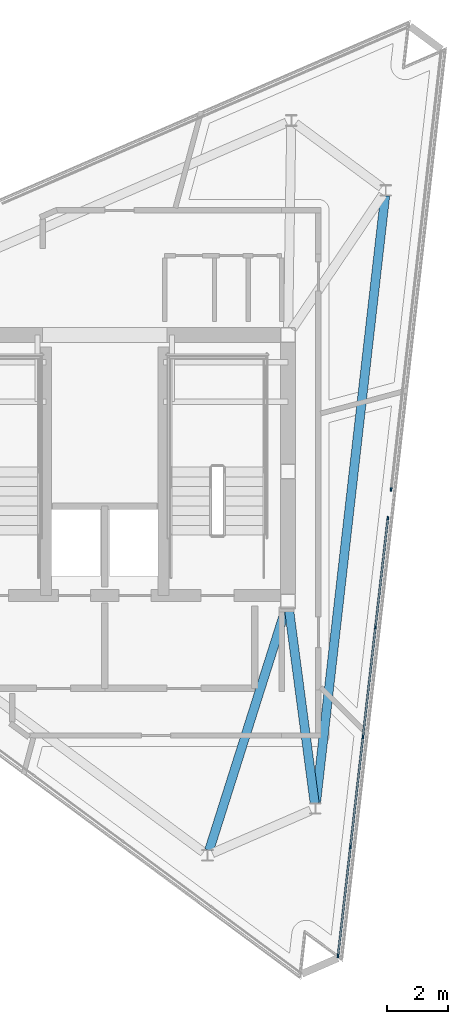
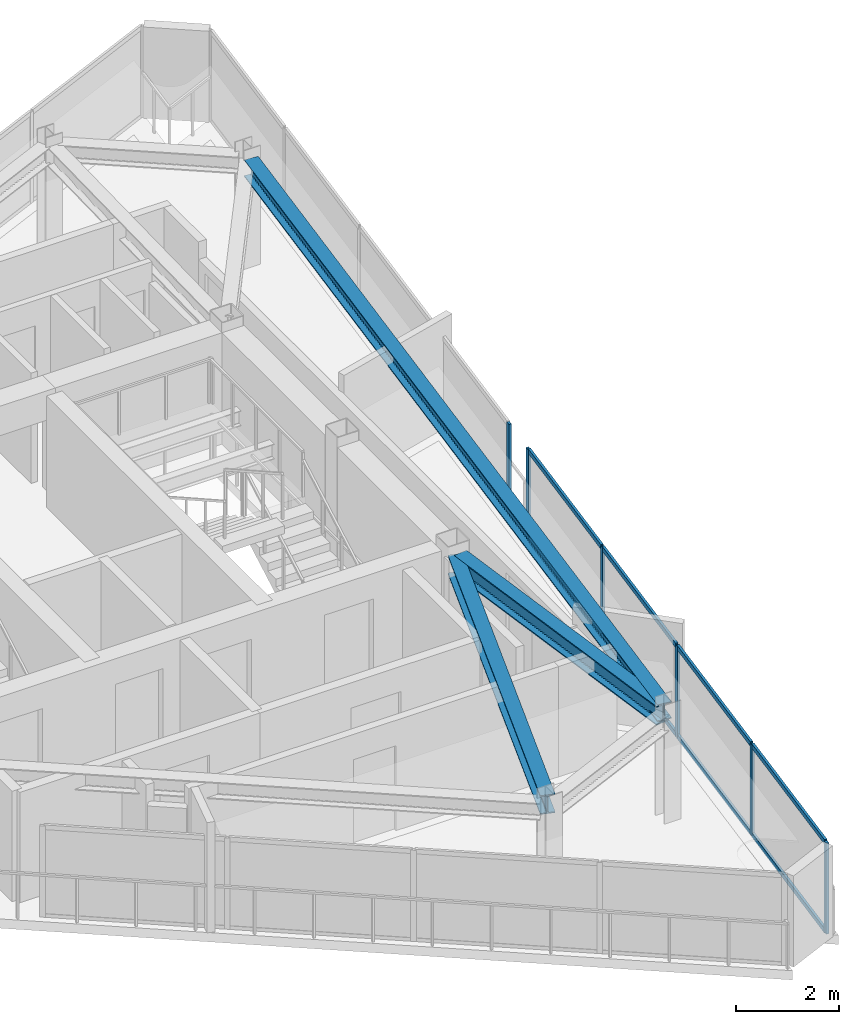
# One storey, part 3 of 9: 14 members, 3 beams, 2 elements without a shape of their own.
"""IFC4 building model written with IfcOpenShell, lengths in metres."""

from ifc_helpers import new_model, si_unit, direction, frame, origin, origin_2d, place, context, subcontext, project, spatial, rectangle, i_section, extrude, material, layer, layer_set, material_profile, profile_set, type_object, element, aggregate, save


model = new_model("IFC4")

# Units and contexts
model_context = context("Model", 3, precision=1e-05, world=origin(), true_north=direction((0.0, 1.0)))
body_context = subcontext(model_context, "Body", "Model", "MODEL_VIEW")
ifc_project = project(units=[si_unit("LENGTHUNIT", "METRE"), si_unit("AREAUNIT", "SQUARE_METRE"), si_unit("VOLUMEUNIT", "CUBIC_METRE"), si_unit("PLANEANGLEUNIT", "RADIAN"), si_unit("MASSUNIT", "GRAM", prefix="KILO")], contexts=[model_context])

# Site, building, storey
site_placement = place(None, origin())
site = spatial("IfcSite", under=ifc_project, at=site_placement, CompositionType="ELEMENT")
building_placement = place(site_placement, origin())
building = spatial("IfcBuilding", under=site, at=building_placement, Name="Rocaltana Carrier Exchange", CompositionType="ELEMENT")
storey_placement = place(building_placement, frame((0.0, 0.0, 243.360107421875)))
storey = spatial("IfcBuildingStorey", under=building, at=storey_placement, Name="L77", CompositionType="ELEMENT", Elevation=243.360107421875)

# Curtain wall, members
ifc_material_1 = material(Name="Aluminium 6063-T6", Category="aluminium")
ifc_layer = layer(ifc_material_1, 0.110107421875)
ifc_layer_set = layer_set([ifc_layer], Name="Aluminium 6063-T6")
curtain_wall_type = type_object("IfcCurtainWallType", Name="Crown Lantern Faceted Curtain Wall CW-06", PredefinedType="NOTDEFINED", material=ifc_layer_set)
curtain_wall_1_placement = place(storey_placement, origin())
curtain_wall_1 = element("IfcCurtainWall", 1, at=curtain_wall_1_placement, inside=storey, type_object=curtain_wall_type, Name="L77 CW-06 Run CW06-L77-F1S1", PredefinedType="NOTDEFINED")
ifc_material_2 = material(Name="Aluminium 6063-T6", Category="aluminium")
ifc_material_profile_1 = material_profile(ifc_material_2, rectangle(XDim=0.054931640625, YDim=0.110107421875, at=origin_2d()), Name="AL-55X110")
ifc_profile_set_1 = profile_set([ifc_material_profile_1], Name="Aluminium 6063-T6")
member_type_1 = type_object("IfcMemberType", Name="CW-06 Mullion AL-55X110", PredefinedType="MULLION", material=ifc_profile_set_1)
member_1_placement = place(storey_placement, frame((7.7001953125, -15.9970703125, 0.0), z_axis=(0.0, 0.0, 1.0), x_axis=(-0.993571645524, 0.113205058236, 0.0)))
member_1 = element("IfcMember", 2, at=member_1_placement, type_object=member_type_1, Name="CW-06 mullion 1", PredefinedType="MULLION", context=body_context, shape_type="SweptSolid", body=[
    extrude(rectangle(XDim=0.054931640625, YDim=0.110107421875, at=origin_2d()), origin(), (0.0, 0.0, 1.0), 2.16796875),
])
member_2_placement = place(storey_placement, frame((8.1103515625, -12.39794921875, 0.0), z_axis=(0.0, 0.0, 1.0), x_axis=(-0.993571645524, 0.113205058236, 0.0)))
member_2 = element("IfcMember", 3, at=member_2_placement, type_object=member_type_1, Name="CW-06 mullion 2", PredefinedType="MULLION", context=body_context, shape_type="SweptSolid", body=[
    extrude(rectangle(XDim=0.054931640625, YDim=0.110107421875, at=origin_2d()), origin(), (0.0, 0.0, 1.0), 2.16796875),
])
member_3_placement = place(storey_placement, frame((8.523681640625, -8.771240234375, 0.0), z_axis=(0.0, 0.0, 1.0), x_axis=(-0.993571645524, 0.113205058236, 0.0)))
member_3 = element("IfcMember", 4, at=member_3_placement, type_object=member_type_1, Name="CW-06 mullion 3", PredefinedType="MULLION", context=body_context, shape_type="SweptSolid", body=[
    extrude(rectangle(XDim=0.054931640625, YDim=0.110107421875, at=origin_2d()), origin(), (0.0, 0.0, 1.0), 2.16796875),
])
member_4_placement = place(storey_placement, frame((8.936767578125, -5.144775390625, 0.0), z_axis=(0.0, 0.0, 1.0), x_axis=(-0.993571645524, 0.113205058236, 0.0)))
member_4 = element("IfcMember", 5, at=member_4_placement, type_object=member_type_1, Name="CW-06 mullion 4", PredefinedType="MULLION", context=body_context, shape_type="SweptSolid", body=[
    extrude(rectangle(XDim=0.054931640625, YDim=0.110107421875, at=origin_2d()), origin(), (0.0, 0.0, 1.0), 2.16796875),
])
member_5_placement = place(storey_placement, frame((9.346923828125, -1.54541015625, 0.0), z_axis=(0.0, 0.0, 1.0), x_axis=(-0.993571645524, 0.113205058236, 0.0)))
member_5 = element("IfcMember", 6, at=member_5_placement, type_object=member_type_1, Name="CW-06 mullion 5", PredefinedType="MULLION", context=body_context, shape_type="SweptSolid", body=[
    extrude(rectangle(XDim=0.054931640625, YDim=0.110107421875, at=origin_2d()), origin(), (0.0, 0.0, 1.0), 2.16796875),
])

# Curtain wall, member
curtain_wall_2_placement = place(storey_placement, origin())
curtain_wall_2 = element("IfcCurtainWall", 7, at=curtain_wall_2_placement, inside=storey, type_object=curtain_wall_type, Name="L77 CW-06 Run CW06-L77-F1S2", PredefinedType="NOTDEFINED")
member_6_placement = place(storey_placement, frame((9.455078125, -0.5966796875, 0.0), z_axis=(0.0, 0.0, 1.0), x_axis=(-0.993572415892, 0.113198296715, 0.0)))
member_6 = element("IfcMember", 8, at=member_6_placement, type_object=member_type_1, Name="CW-06 mullion 1", PredefinedType="MULLION", context=body_context, shape_type="SweptSolid", body=[
    extrude(rectangle(XDim=0.054931640625, YDim=0.110107421875, at=origin_2d()), origin(), (0.0, 0.0, 1.0), 2.16796875),
])
aggregate(curtain_wall_2, [member_6])

# Member
ifc_material_3 = material(Name="Aluminium 6063-T6", Category="aluminium")
ifc_material_profile_2 = material_profile(ifc_material_3, rectangle(XDim=0.054931640625, YDim=0.110107421875, at=origin_2d()), Name="AL-55X110")
ifc_profile_set_2 = profile_set([ifc_material_profile_2], Name="Aluminium 6063-T6")
member_type_2 = type_object("IfcMemberType", Name="CW-06 Transom AL-55X110", PredefinedType="USERDEFINED", material=ifc_profile_set_2)
member_7_placement = place(storey_placement, frame((7.703369140625, -15.9697265625, 0.02734375), z_axis=(0.113195298312, 0.993572757497, 0.0), x_axis=(-0.993572757497, 0.113195298312, 0.0)))
member_7 = element("IfcMember", 9, at=member_7_placement, type_object=member_type_2, Name="CW-06 transom 1.1", ObjectType="TRANSOM", PredefinedType="USERDEFINED", context=body_context, shape_type="SweptSolid", body=[
    extrude(rectangle(XDim=0.054931640625, YDim=0.110107421875, at=origin_2d()), origin(), (0.0, 0.0, 1.0), 3.5673828125),
])

member_8_placement = place(storey_placement, frame((7.703369140625, -15.9697265625, 2.140380859375), z_axis=(0.113195298312, 0.993572757497, 0.0), x_axis=(-0.993572757497, 0.113195298312, 0.0)))
member_8 = element("IfcMember", 10, at=member_8_placement, type_object=member_type_2, Name="CW-06 transom 1.2", ObjectType="TRANSOM", PredefinedType="USERDEFINED", context=body_context, shape_type="SweptSolid", body=[
    extrude(rectangle(XDim=0.054931640625, YDim=0.110107421875, at=origin_2d()), origin(), (0.0, 0.0, 1.0), 3.5673828125),
])

member_9_placement = place(storey_placement, frame((8.113525390625, -12.37060546875, 0.02734375), z_axis=(0.113203757781, 0.993571793694, 0.0), x_axis=(-0.993571793694, 0.113203757781, 0.0)))
member_9 = element("IfcMember", 11, at=member_9_placement, type_object=member_type_2, Name="CW-06 transom 2.1", ObjectType="TRANSOM", PredefinedType="USERDEFINED", context=body_context, shape_type="SweptSolid", body=[
    extrude(rectangle(XDim=0.054931640625, YDim=0.110107421875, at=origin_2d()), origin(), (0.0, 0.0, 1.0), 3.59521484375),
])

member_10_placement = place(storey_placement, frame((8.113525390625, -12.37060546875, 2.140380859375), z_axis=(0.113203757781, 0.993571793694, 0.0), x_axis=(-0.993571793694, 0.113203757781, 0.0)))
member_10 = element("IfcMember", 12, at=member_10_placement, type_object=member_type_2, Name="CW-06 transom 2.2", ObjectType="TRANSOM", PredefinedType="USERDEFINED", context=body_context, shape_type="SweptSolid", body=[
    extrude(rectangle(XDim=0.054931640625, YDim=0.110107421875, at=origin_2d()), origin(), (0.0, 0.0, 1.0), 3.59521484375),
])

member_11_placement = place(storey_placement, frame((8.526611328125, -8.743896484375, 0.02734375), z_axis=(0.113211396393, 0.99357092335, 0.0), x_axis=(-0.99357092335, 0.113211396393, 0.0)))
member_11 = element("IfcMember", 13, at=member_11_placement, type_object=member_type_2, Name="CW-06 transom 3.1", ObjectType="TRANSOM", PredefinedType="USERDEFINED", context=body_context, shape_type="SweptSolid", body=[
    extrude(rectangle(XDim=0.054931640625, YDim=0.110107421875, at=origin_2d()), origin(), (0.0, 0.0, 1.0), 3.594970703125),
])

member_12_placement = place(storey_placement, frame((8.526611328125, -8.743896484375, 2.140380859375), z_axis=(0.113211396393, 0.99357092335, 0.0), x_axis=(-0.99357092335, 0.113211396393, 0.0)))
member_12 = element("IfcMember", 14, at=member_12_placement, type_object=member_type_2, Name="CW-06 transom 3.2", ObjectType="TRANSOM", PredefinedType="USERDEFINED", context=body_context, shape_type="SweptSolid", body=[
    extrude(rectangle(XDim=0.054931640625, YDim=0.110107421875, at=origin_2d()), origin(), (0.0, 0.0, 1.0), 3.594970703125),
])

member_13_placement = place(storey_placement, frame((8.93994140625, -5.117431640625, 0.02734375), z_axis=(0.113187601842, 0.993573634307, 0.0), x_axis=(-0.993573634307, 0.113187601842, 0.0)))
member_13 = element("IfcMember", 15, at=member_13_placement, type_object=member_type_2, Name="CW-06 transom 4.1", ObjectType="TRANSOM", PredefinedType="USERDEFINED", context=body_context, shape_type="SweptSolid", body=[
    extrude(rectangle(XDim=0.054931640625, YDim=0.110107421875, at=origin_2d()), origin(), (0.0, 0.0, 1.0), 3.567626953125),
])

member_14_placement = place(storey_placement, frame((8.93994140625, -5.117431640625, 2.140380859375), z_axis=(0.113187601842, 0.993573634307, 0.0), x_axis=(-0.993573634307, 0.113187601842, 0.0)))
member_14 = element("IfcMember", 16, at=member_14_placement, type_object=member_type_2, Name="CW-06 transom 4.2", ObjectType="TRANSOM", PredefinedType="USERDEFINED", context=body_context, shape_type="SweptSolid", body=[
    extrude(rectangle(XDim=0.054931640625, YDim=0.110107421875, at=origin_2d()), origin(), (0.0, 0.0, 1.0), 3.567626953125),
])

aggregate(curtain_wall_1, [member_1, member_2, member_3, member_4, member_5, member_7, member_8, member_9, member_10, member_11, member_12, member_13, member_14])

# Beams
ifc_material_4 = material(Name="Steel S460", Category="steel")
ifc_material_profile_3 = material_profile(ifc_material_4, i_section(OverallWidth=0.300048828125, OverallDepth=0.449951171875, WebThickness=0.013916015625, FlangeThickness=0.02587890625, FilletRadius=0.027099609375, at=origin_2d()), Name="HEB450")
ifc_profile_set_3 = profile_set([ifc_material_profile_3], Name="Steel S460")
beam_type_1 = type_object("IfcBeamType", Name="Crown Frame Rafter HEB450", PredefinedType="BEAM", material=ifc_profile_set_3)
beam_1_placement = place(storey_placement, frame((6.081787109375, -4.539794921875, 2.4228515625), z_axis=(0.131160183144, -0.991361188648, 0.0), x_axis=(0.991361188648, 0.131160183144, 0.0)))
element("IfcBeam", 17, at=beam_1_placement, inside=storey, type_object=beam_type_1, Name="CRG-RAD-L77-01", PredefinedType="BEAM", context=body_context, shape_type="SweptSolid", body=[
    extrude(i_section(OverallWidth=0.300048828125, OverallDepth=0.449951171875, WebThickness=0.013916015625, FlangeThickness=0.02587890625, FilletRadius=0.027099609375, at=origin_2d()), origin(), (0.0, 0.0, 1.0), 6.47021484375),
])
beam_2_placement = place(storey_placement, frame((5.976806640625, -4.53076171875, 2.4228515625), z_axis=(-0.302197952625, -0.953245192712, 0.0), x_axis=(0.953245192712, -0.302197952625, 0.0)))
element("IfcBeam", 18, at=beam_2_placement, inside=storey, type_object=beam_type_1, Name="CRG-RAD-L77-06", PredefinedType="BEAM", context=body_context, shape_type="SweptSolid", body=[
    extrude(i_section(OverallWidth=0.300048828125, OverallDepth=0.449951171875, WebThickness=0.013916015625, FlangeThickness=0.02587890625, FilletRadius=0.027099609375, at=origin_2d()), origin(), (0.0, 0.0, 1.0), 8.3681640625),
])
ifc_material_5 = material(Name="Steel S460", Category="steel")
ifc_material_profile_4 = material_profile(ifc_material_5, i_section(OverallWidth=0.300048828125, OverallDepth=0.39990234375, WebThickness=0.013427734375, FlangeThickness=0.02392578125, FilletRadius=0.027099609375, at=origin_2d()), Name="HEB400")
ifc_profile_set_4 = profile_set([ifc_material_profile_4], Name="Steel S460")
beam_type_2 = type_object("IfcBeamType", Name="Crown Ring Beam HEB400", PredefinedType="BEAM", material=ifc_profile_set_4)
beam_3_placement = place(storey_placement, frame((6.972900390625, -10.95361328125, 2.447998046875), z_axis=(0.113206536155, 0.993571477133, 0.0), x_axis=(-0.993571477133, 0.113206536155, 0.0)))
element("IfcBeam", 19, at=beam_3_placement, inside=storey, type_object=beam_type_2, Name="CRG-RING-L77-01", PredefinedType="BEAM", context=body_context, shape_type="SweptSolid", body=[
    extrude(i_section(OverallWidth=0.300048828125, OverallDepth=0.39990234375, WebThickness=0.013427734375, FlangeThickness=0.02392578125, FilletRadius=0.027099609375, at=origin_2d()), origin(), (0.0, 0.0, 1.0), 20.18798828125),
])

save(model, "model.ifc")
